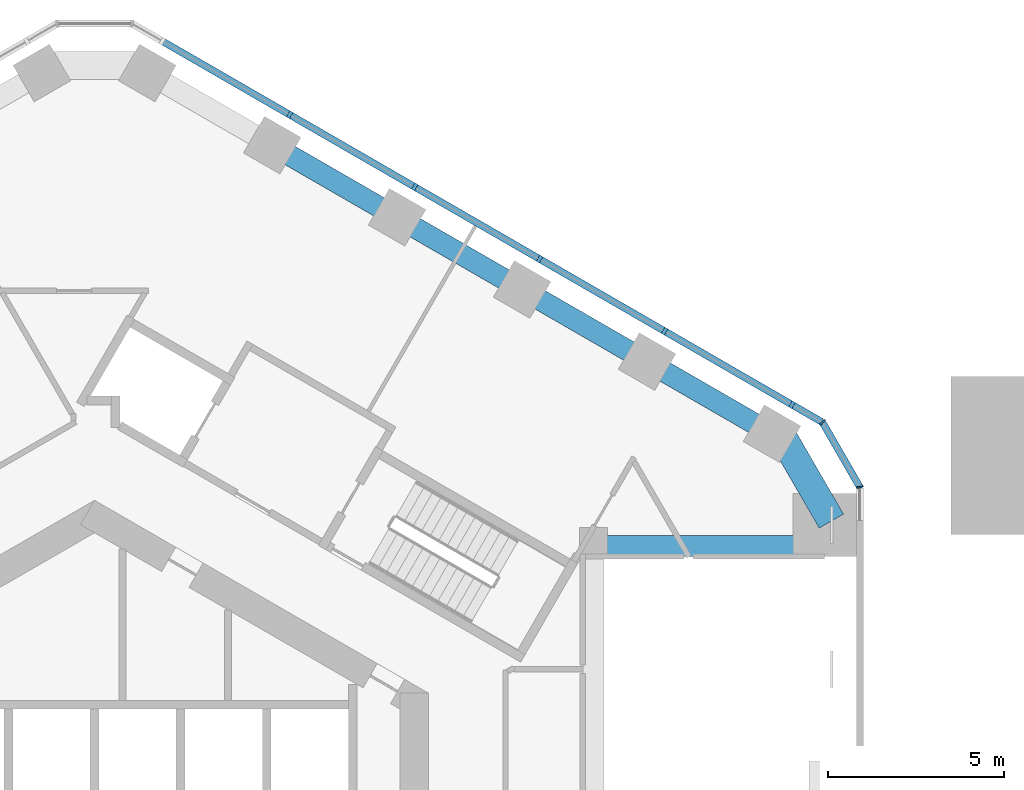
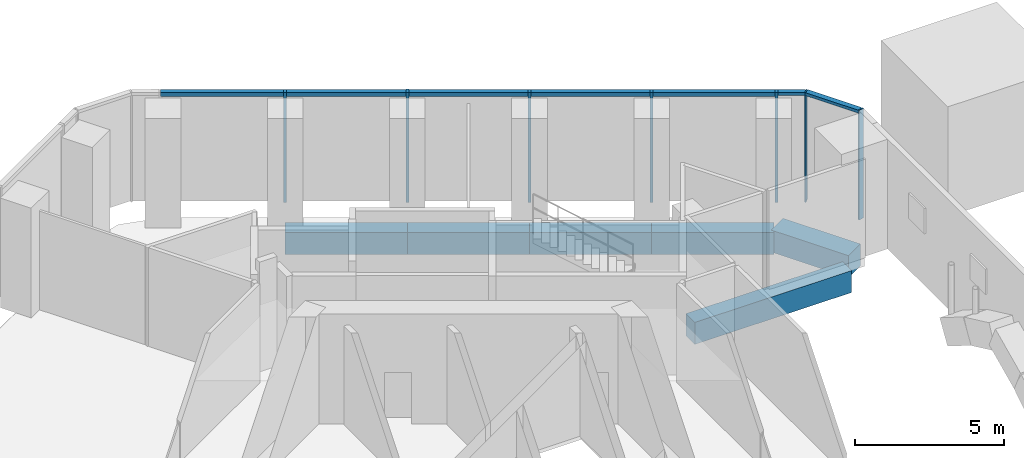
# One storey, part 7 of 14: 10 members, 6 beams, 2 elements without a shape of their own.
"""IFC4 building model written with IfcOpenShell, lengths in metres."""

from ifc_helpers import new_model, si_unit, direction, frame, origin, origin_2d, place, context, subcontext, project, spatial, rectangle, extrude, material, layer, layer_set, material_profile, profile_set, type_object, element, aggregate, save


model = new_model("IFC4")

# Units and contexts
model_context = context("Model", 3, precision=1e-05, world=origin(), true_north=direction((0.0, 1.0)))
body_context = subcontext(model_context, "Body", "Model", "MODEL_VIEW")
ifc_project = project(units=[si_unit("LENGTHUNIT", "METRE"), si_unit("AREAUNIT", "SQUARE_METRE"), si_unit("VOLUMEUNIT", "CUBIC_METRE"), si_unit("PLANEANGLEUNIT", "RADIAN"), si_unit("MASSUNIT", "GRAM", prefix="KILO")], contexts=[model_context])

# Site, building, storey
site_placement = place(None, origin())
site = spatial("IfcSite", under=ifc_project, at=site_placement, CompositionType="ELEMENT")
building_placement = place(site_placement, origin())
building = spatial("IfcBuilding", under=site, at=building_placement, Name="Ayvan Gate Tower", CompositionType="ELEMENT")
storey_placement = place(building_placement, frame((0.0, 0.0, 16.0)))
storey = spatial("IfcBuildingStorey", under=building, at=storey_placement, Name="L03", CompositionType="ELEMENT", Elevation=16.0)

# Beams
ifc_material_1 = material(Name="Concrete C40/50", Category="concrete")
ifc_material_profile_1 = material_profile(ifc_material_1, rectangle(XDim=0.800048828125, YDim=0.89990234375, at=origin_2d()), Name="RC 800x900")
ifc_profile_set_1 = profile_set([ifc_material_profile_1], Name="Concrete C40/50")
beam_type_1 = type_object("IfcBeamType", Name="Corner spandrel beam RC 800x900 C40/50", PredefinedType="BEAM", material=ifc_profile_set_1)
beam_1_placement = place(storey_placement, frame((20.97509765625, 10.3779296875, -0.85009765625), z_axis=(-0.499990139034, 0.866031096941, 0.0), x_axis=(-0.866031096941, -0.499990139034, 0.0)))
element("IfcBeam", 1, at=beam_1_placement, inside=storey, type_object=beam_type_1, Name="SB-L03-6", PredefinedType="BEAM", context=body_context, shape_type="SweptSolid", body=[
    extrude(rectangle(XDim=0.800048828125, YDim=0.89990234375, at=origin_2d()), origin(), (0.0, 0.0, 1.0), 3.0),
])
ifc_material_profile_2 = material_profile(ifc_material_1, rectangle(XDim=0.60009765625, YDim=0.89990234375, at=origin_2d()), Name="RC 600x900")
ifc_profile_set_2 = profile_set([ifc_material_profile_2], Name="Concrete C40/50")
beam_type_2 = type_object("IfcBeamType", Name="Opening edge beam RC 600x900 C40/50", PredefinedType="BEAM", material=ifc_profile_set_2)
beam_2_placement = place(storey_placement, frame((20.28466796875, 9.66796875, -0.85009765625), z_axis=(-1.0, 0.0, 0.0), x_axis=(0.0, -1.0, 0.0)))
element("IfcBeam", 2, at=beam_2_placement, inside=storey, type_object=beam_type_2, Name="OB-L03-0-B", PredefinedType="BEAM", context=body_context, shape_type="SweptSolid", body=[
    extrude(rectangle(XDim=0.60009765625, YDim=0.89990234375, at=origin_2d()), origin(), (0.0, 0.0, 1.0), 6.084716796875),
])
ifc_material_profile_3 = material_profile(ifc_material_1, rectangle(XDim=0.60009765625, YDim=0.89990234375, at=origin_2d()), Name="RC 600x900")
ifc_profile_set_3 = profile_set([ifc_material_profile_3], Name="Concrete C40/50")
beam_type_3 = type_object("IfcBeamType", Name="Spandrel beam RC 600x900 C40/50", PredefinedType="BEAM", material=ifc_profile_set_3)
for number, where, z_axis, x_axis, name in (
    (3, (19.28466796875, 12.865966796875, -0.85009765625), (-0.866010373586, 0.500026032164, 0.0), (-0.500026032164, -0.866010373586, 0.0), "SB-L03-7"),
    (4, (15.727783203125, 14.919677734375, -0.85009765625), (-0.866050971923, 0.499955712069, 0.0), (-0.499955712069, -0.866050971923, 0.0), "SB-L03-8"),
    (5, (12.170654296875, 16.97314453125, -0.85009765625), (-0.866010373586, 0.500026032164, 0.0), (-0.500026032164, -0.866010373586, 0.0), "SB-L03-9"),
    (6, (8.61376953125, 19.02685546875, -0.85009765625), (-0.866036113234, 0.499981450231, 0.0), (-0.499981450231, -0.866036113234, 0.0), "SB-L03-10"),
):
    element("IfcBeam", number, at=place(storey_placement, frame(where, z_axis=z_axis, x_axis=x_axis)), inside=storey, type_object=beam_type_3, Name=name, PredefinedType="BEAM", context=body_context, shape_type="SweptSolid", body=[
        extrude(rectangle(XDim=0.60009765625, YDim=0.89990234375, at=origin_2d()), origin(), (0.0, 0.0, 1.0), 4.107177734375),
    ])

# Curtain wall, members
ifc_material_2 = material(Name="Bronze anodised aluminium", Category="aluminium")
ifc_layer_1 = layer(ifc_material_2, 0.199951171875)
ifc_layer_set_1 = layer_set([ifc_layer_1], Name="Bronze anodised aluminium")
curtain_wall_type_1 = type_object("IfcCurtainWallType", Name="Stick curtain wall CW-3", PredefinedType="NOTDEFINED", material=ifc_layer_set_1)
curtain_wall_1_placement = place(storey_placement, origin())
curtain_wall_1 = element("IfcCurtainWall", 7, at=curtain_wall_1_placement, inside=storey, type_object=curtain_wall_type_1, Name="Stick curtain wall CW-3 L03", PredefinedType="NOTDEFINED")
ifc_material_profile_4 = material_profile(ifc_material_2, rectangle(XDim=0.199951171875, YDim=0.10009765625, at=origin_2d()), Name="Stick curtain wall CW-3 mullion 200 x 100")
ifc_profile_set_4 = profile_set([ifc_material_profile_4], Name="Bronze anodised aluminium")
member_type_1 = type_object("IfcMemberType", Name="Stick curtain wall CW-3 mullion 200 x 100", PredefinedType="MULLION", material=ifc_profile_set_4)
member_1_placement = place(storey_placement, frame((19.855224609375, 13.691162109375, 0.0), z_axis=(0.0, 0.0, 1.0), x_axis=(0.5, 0.866025403784, 0.0)))
member_1 = element("IfcMember", 8, at=member_1_placement, type_object=member_type_1, Name="CW-3 mullion 1", PredefinedType="MULLION", context=body_context, shape_type="SweptSolid", body=[
    extrude(rectangle(XDim=0.199951171875, YDim=0.10009765625, at=origin_2d()), origin(), (0.0, 0.0, 1.0), 4.5),
])
member_2_placement = place(storey_placement, frame((16.2275390625, 15.78564453125, 0.0), z_axis=(0.0, 0.0, 1.0), x_axis=(0.5, 0.866025403784, 0.0)))
member_2 = element("IfcMember", 9, at=member_2_placement, type_object=member_type_1, Name="CW-3 mullion 2", PredefinedType="MULLION", context=body_context, shape_type="SweptSolid", body=[
    extrude(rectangle(XDim=0.199951171875, YDim=0.10009765625, at=origin_2d()), origin(), (0.0, 0.0, 1.0), 4.5),
])
member_3_placement = place(storey_placement, frame((12.670654296875, 17.839111328125, 0.0), z_axis=(0.0, 0.0, 1.0), x_axis=(0.5, 0.866025403784, 0.0)))
member_3 = element("IfcMember", 10, at=member_3_placement, type_object=member_type_1, Name="CW-3 mullion 3", PredefinedType="MULLION", context=body_context, shape_type="SweptSolid", body=[
    extrude(rectangle(XDim=0.199951171875, YDim=0.10009765625, at=origin_2d()), origin(), (0.0, 0.0, 1.0), 4.5),
])
member_4_placement = place(storey_placement, frame((9.114013671875, 19.892822265625, 0.0), z_axis=(0.0, 0.0, 1.0), x_axis=(0.5, 0.866025403784, 0.0)))
member_4 = element("IfcMember", 11, at=member_4_placement, type_object=member_type_1, Name="CW-3 mullion 4", PredefinedType="MULLION", context=body_context, shape_type="SweptSolid", body=[
    extrude(rectangle(XDim=0.199951171875, YDim=0.10009765625, at=origin_2d()), origin(), (0.0, 0.0, 1.0), 4.5),
])
member_5_placement = place(storey_placement, frame((5.55712890625, 21.9462890625, 0.0), z_axis=(0.0, 0.0, 1.0), x_axis=(0.5, 0.866025403784, 0.0)))
member_5 = element("IfcMember", 12, at=member_5_placement, type_object=member_type_1, Name="CW-3 mullion 5", PredefinedType="MULLION", context=body_context, shape_type="SweptSolid", body=[
    extrude(rectangle(XDim=0.199951171875, YDim=0.10009765625, at=origin_2d()), origin(), (0.0, 0.0, 1.0), 4.5),
])
ifc_material_profile_5 = material_profile(ifc_material_2, rectangle(XDim=0.199951171875, YDim=0.159912109375, at=origin_2d()), Name="Stick curtain wall CW-3 transom 200 x 160")
ifc_profile_set_5 = profile_set([ifc_material_profile_5], Name="Bronze anodised aluminium")
member_type_2 = type_object("IfcMemberType", Name="Stick curtain wall CW-3 transom 200 x 160", PredefinedType="USERDEFINED", material=ifc_profile_set_5)
member_6_placement = place(storey_placement, frame((19.855224609375, 13.691162109375, 4.419921875), z_axis=(-0.866025115303, 0.500000499665, 0.0), x_axis=(-0.500000499665, -0.866025115303, 0.0)))
member_6 = element("IfcMember", 13, at=member_6_placement, type_object=member_type_2, Name="CW-3 transom 1", ObjectType="TRANSOM", PredefinedType="USERDEFINED", context=body_context, shape_type="SweptSolid", body=[
    extrude(rectangle(XDim=0.199951171875, YDim=0.159912109375, at=origin_2d()), origin(), (0.0, 0.0, 1.0), 20.69921875),
])
aggregate(curtain_wall_1, [member_1, member_2, member_3, member_4, member_5, member_6])

ifc_layer_2 = layer(ifc_material_2, 0.199951171875)
ifc_layer_set_2 = layer_set([ifc_layer_2], Name="Bronze anodised aluminium")
curtain_wall_type_2 = type_object("IfcCurtainWallType", Name="Stick curtain wall CW-6", PredefinedType="NOTDEFINED", material=ifc_layer_set_2)
curtain_wall_2_placement = place(storey_placement, origin())
curtain_wall_2 = element("IfcCurtainWall", 14, at=curtain_wall_2_placement, inside=storey, type_object=curtain_wall_type_2, Name="Stick curtain wall CW-6 L03", PredefinedType="NOTDEFINED")
ifc_material_profile_6 = material_profile(ifc_material_2, rectangle(XDim=0.199951171875, YDim=0.050048828125, at=origin_2d()), Name="Stick curtain wall CW-6 mullion 200 x 50")
ifc_profile_set_6 = profile_set([ifc_material_profile_6], Name="Bronze anodised aluminium")
member_type_3 = type_object("IfcMemberType", Name="Stick curtain wall CW-6 mullion 200 x 50", PredefinedType="MULLION", material=ifc_profile_set_6)
member_7_placement = place(storey_placement, frame((21.78466796875, 11.349609375, 0.0), z_axis=(0.0, 0.0, 1.0), x_axis=(0.965925826289, 0.258819045103, 0.0)))
member_7 = element("IfcMember", 15, at=member_7_placement, type_object=member_type_3, Name="CW-6 mullion 2", PredefinedType="MULLION", context=body_context, shape_type="SweptSolid", body=[
    extrude(rectangle(XDim=0.199951171875, YDim=0.050048828125, at=origin_2d()), origin(), (0.0, 0.0, 1.0), 4.5),
])
member_8_placement = place(storey_placement, frame((20.721435546875, 13.191162109375, 0.0), z_axis=(0.0, 0.0, 1.0), x_axis=(0.707106781187, 0.707106781187, 0.0)))
member_8 = element("IfcMember", 16, at=member_8_placement, type_object=member_type_3, Name="CW-6 mullion 3", PredefinedType="MULLION", context=body_context, shape_type="SweptSolid", body=[
    extrude(rectangle(XDim=0.199951171875, YDim=0.050048828125, at=origin_2d()), origin(), (0.0, 0.0, 1.0), 4.5),
])
ifc_material_profile_7 = material_profile(ifc_material_2, rectangle(XDim=0.199951171875, YDim=0.1201171875, at=origin_2d()), Name="Stick curtain wall CW-6 transom 200 x 120")
ifc_profile_set_7 = profile_set([ifc_material_profile_7], Name="Bronze anodised aluminium")
member_type_4 = type_object("IfcMemberType", Name="Stick curtain wall CW-6 transom 200 x 120", PredefinedType="USERDEFINED", material=ifc_profile_set_7)
member_9_placement = place(storey_placement, frame((21.772216796875, 11.371337890625, 4.43994140625), z_axis=(-0.500020978615, 0.866013291437, 0.0), x_axis=(-0.866013291437, -0.500020978615, 0.0)))
member_9 = element("IfcMember", 17, at=member_9_placement, type_object=member_type_4, Name="CW-6 transom 2", ObjectType="TRANSOM", PredefinedType="USERDEFINED", context=body_context, shape_type="SweptSolid", body=[
    extrude(rectangle(XDim=0.199951171875, YDim=0.1201171875, at=origin_2d()), origin(), (0.0, 0.0, 1.0), 2.07666015625),
])
member_10_placement = place(storey_placement, frame((20.69970703125, 13.20361328125, 4.43994140625), z_axis=(-0.865943820382, 0.500141279983, 0.0), x_axis=(-0.500141279983, -0.865943820382, 0.0)))
member_10 = element("IfcMember", 18, at=member_10_placement, type_object=member_type_4, Name="CW-6 transom 3", ObjectType="TRANSOM", PredefinedType="USERDEFINED", context=body_context, shape_type="SweptSolid", body=[
    extrude(rectangle(XDim=0.199951171875, YDim=0.1201171875, at=origin_2d()), origin(), (0.0, 0.0, 1.0), 0.925048828125),
])
aggregate(curtain_wall_2, [member_7, member_8, member_9, member_10])

save(model, "model.ifc")
